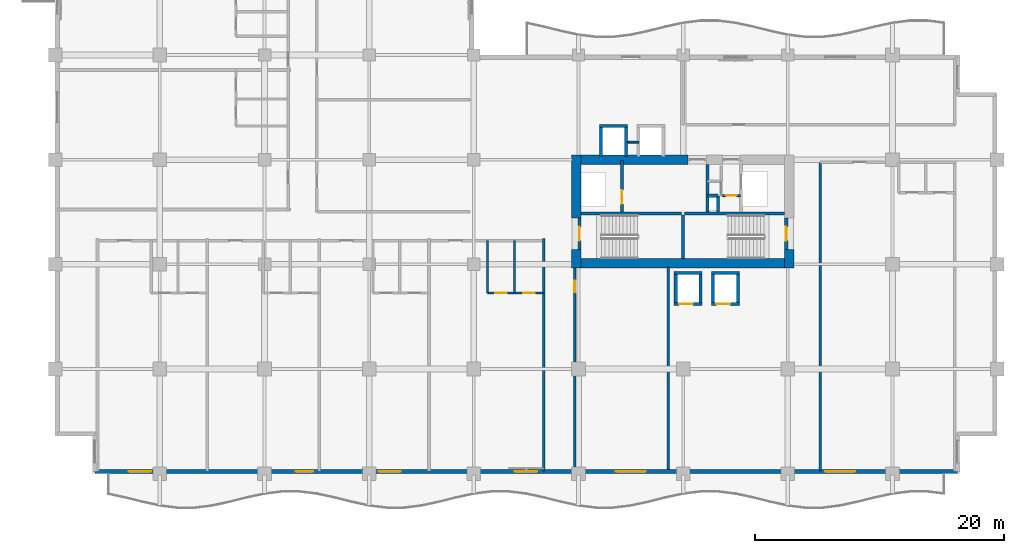
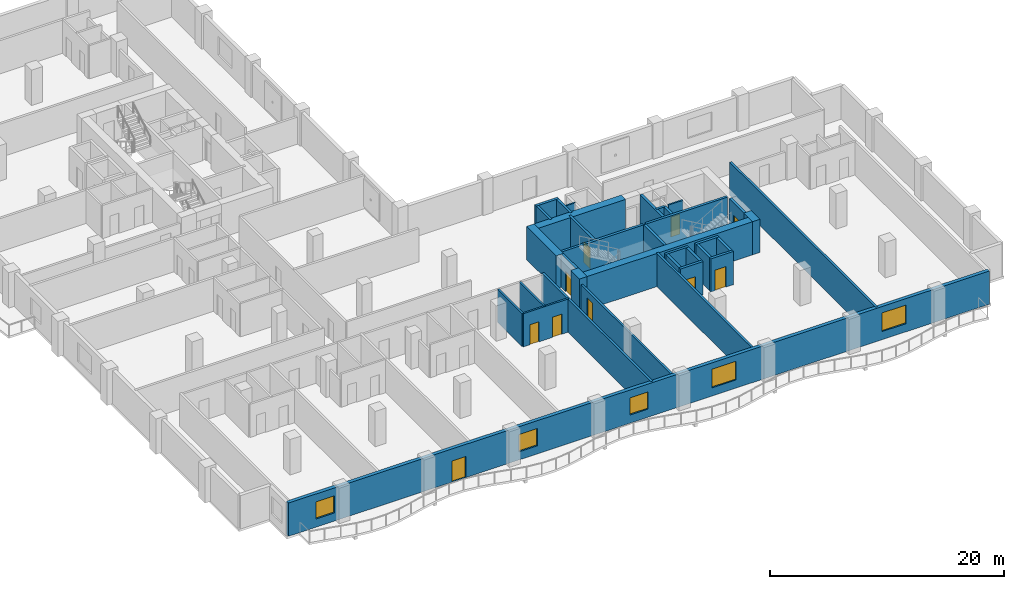
# One storey, part 5 of 16: 35 walls, 10 doors, 5 windows, 15 openings.
"""IFC4 building model written with IfcOpenShell, lengths in metres."""

from ifc_helpers import new_model, si_unit, direction, frame, frame_2d, origin, place, context, subcontext, project, spatial, rectangle, extrude, material, layer, layer_set, type_object, element, fill, save


model = new_model("IFC4")

# Units and contexts
model_context = context("Model", 3, precision=1e-05, world=origin(), true_north=direction((0.0, 1.0)))
body_context = subcontext(model_context, "Body", "Model", "MODEL_VIEW")
ifc_project = project(units=[si_unit("LENGTHUNIT", "METRE"), si_unit("AREAUNIT", "SQUARE_METRE"), si_unit("VOLUMEUNIT", "CUBIC_METRE"), si_unit("PLANEANGLEUNIT", "RADIAN"), si_unit("MASSUNIT", "GRAM", prefix="KILO")], contexts=[model_context])

# Site, building, storey
site_placement = place(None, origin())
site = spatial("IfcSite", under=ifc_project, at=site_placement, CompositionType="ELEMENT")
building_placement = place(site_placement, origin())
building = spatial("IfcBuilding", under=site, at=building_placement, Name="Koriwani Terraces Tower", CompositionType="ELEMENT")
storey_placement = place(building_placement, frame((0.0, 0.0, 171.699951171875)))
storey = spatial("IfcBuildingStorey", under=building, at=storey_placement, Name="L41", CompositionType="ELEMENT", Elevation=171.699951171875)

# Walls
ifc_material_1 = material(Name="Concrete C60/75", Category="concrete")
ifc_layer_1 = layer(ifc_material_1, 0.75, Name="Concrete C60/75")
ifc_layer_set_1 = layer_set([ifc_layer_1], Name="Concrete C60/75")
wall_type_1 = type_object("IfcWallType", Name="WALL_CORE_RC_750", PredefinedType="SHEAR", material=ifc_layer_set_1)
wall_1_placement = place(storey_placement, frame((41.824951171875, 16.5, 0.0), z_axis=(0.0, 0.0, 1.0), x_axis=(0.0, 1.0, 0.0)))
element("IfcWall", 1, at=wall_1_placement, inside=storey, type_object=wall_type_1, Name="L41 East Split Core Shear Wall W1", PredefinedType="SHEAR", context=body_context, shape_type="SweptSolid", body=[
    extrude(rectangle(XDim=1.5, YDim=0.75, at=frame_2d((0.75, 0.0))), origin(), (0.0, 0.0, 1.0), 3.469970703125),
])
wall_2_placement = place(storey_placement, frame((41.824951171875, 20.5, 0.0), z_axis=(0.0, 0.0, 1.0), x_axis=(0.0, 1.0, 0.0)))
element("IfcWall", 2, at=wall_2_placement, inside=storey, type_object=wall_type_1, Name="L41 East Split Core Shear Wall W2", PredefinedType="SHEAR", context=body_context, shape_type="SweptSolid", body=[
    extrude(rectangle(XDim=5.074951171875, YDim=0.75, at=frame_2d((2.53759765625, 0.0))), origin(), (0.0, 0.0, 1.0), 3.469970703125),
])
wall_3_placement = place(storey_placement, frame((58.925048828125, 16.5, 0.0), z_axis=(0.0, 0.0, 1.0), x_axis=(0.0, 1.0, 0.0)))
element("IfcWall", 3, at=wall_3_placement, inside=storey, type_object=wall_type_1, Name="L41 East Split Core Shear Wall E1", PredefinedType="SHEAR", context=body_context, shape_type="SweptSolid", body=[
    extrude(rectangle(XDim=1.5, YDim=0.75, at=frame_2d((0.75, 0.0))), origin(), (0.0, 0.0, 1.0), 3.469970703125),
])
wall_4_placement = place(storey_placement, frame((42.199951171875, 16.875, 0.0), z_axis=(0.0, 0.0, 1.0), x_axis=(1.0, 0.0, 0.0)))
element("IfcWall", 4, at=wall_4_placement, inside=storey, type_object=wall_type_1, Name="L41 East Split Core Shear Wall S1", PredefinedType="SHEAR", context=body_context, shape_type="SweptSolid", body=[
    extrude(rectangle(XDim=16.35009765625, YDim=0.75, at=frame_2d((8.175048828125, 0.0))), origin(), (0.0, 0.0, 1.0), 3.469970703125),
])
wall_5_placement = place(storey_placement, frame((42.199951171875, 25.199951171875, 0.0), z_axis=(0.0, 0.0, 1.0), x_axis=(1.0, 0.0, 0.0)))
element("IfcWall", 5, at=wall_5_placement, inside=storey, type_object=wall_type_1, Name="L41 East Split Core Shear Wall N1", PredefinedType="SHEAR", context=body_context, shape_type="SweptSolid", body=[
    extrude(rectangle(XDim=8.60009765625, YDim=0.75, at=frame_2d((4.300048828125, 0.0))), origin(), (0.0, 0.0, 1.0), 3.469970703125),
])

# Wall, opening, door
ifc_material_2 = material(Name="Autoclaved Cellular Concrete Blockwork", Category="masonry")
ifc_layer_2 = layer(ifc_material_2, 0.199951171875, Name="Autoclaved Cellular Concrete Blockwork")
ifc_layer_set_2 = layer_set([ifc_layer_2], Name="Autoclaved Cellular Concrete Blockwork")
wall_type_2 = type_object("IfcWallType", Name="WALL_CORRIDOR_200", PredefinedType="PARTITIONING", material=ifc_layer_set_2)
wall_6_placement = place(storey_placement, frame((41.699951171875, 0.35009765625, 0.0), z_axis=(0.0, 0.0, 1.0), x_axis=(0.0, 1.0, 0.0)))
wall_6 = element("IfcWall", 6, at=wall_6_placement, inside=storey, type_object=wall_type_2, Name="L41 Interior Wall WREC-EW-L41", PredefinedType="PARTITIONING", context=body_context, shape_type="SweptSolid", body=[
    extrude(rectangle(XDim=16.25, YDim=0.199951171875, at=frame_2d((8.125, 0.0))), origin(), (0.0, 0.0, 1.0), 2.820068359375),
])
opening_1_placement = place(wall_6_placement, frame((14.199951171875, 0.0, 0.0)))
opening_1 = element("IfcOpeningElement", 7, at=opening_1_placement, cuts=wall_6, Name="Opening D-06", PredefinedType="OPENING", context=body_context, shape_type="SweptSolid", body=[
    extrude(rectangle(XDim=0.919921875, YDim=2.10009765625, at=frame_2d((0.4599609375, 1.050048828125))), frame((0.0, 0.10986328125, 0.0), z_axis=(0.0, -1.0, 0.0), x_axis=(1.0, 0.0, 0.0)), (0.0, 0.0, 1.0), 0.219970703125),
])
ifc_material_3 = material(Name="Architectural Oak Fire Door", Category="wood")
door_type_1 = type_object("IfcDoorType", Name="DOOR_ROOM_INT_920X2100", OperationType="NOTDEFINED", PredefinedType="DOOR", material=ifc_material_3)
door_1_placement = place(opening_1_placement, origin())
door_1 = element("IfcDoor", 8, at=door_1_placement, inside=storey, type_object=door_type_1, Name="L41 Resident Co-Working Study Door", OperationType="SINGLE_SWING_RIGHT", OverallHeight=2.10009765625, OverallWidth=0.919921875, PredefinedType="DOOR", context=body_context, shape_type="SweptSolid", body=[
    extrude(rectangle(XDim=0.919921875, YDim=2.10009765625, at=frame_2d((0.4599609375, 1.050048828125))), frame((0.0, 0.02490234375, 0.0), z_axis=(0.0, -1.0, 0.0), x_axis=(1.0, 0.0, 0.0)), (0.0, 0.0, 1.0), 0.050048828125),
])
fill(opening_1, door_1)

# Walls
ifc_layer_3 = layer(ifc_material_2, 0.219970703125, Name="Autoclaved Cellular Concrete Blockwork")
ifc_layer_set_3 = layer_set([ifc_layer_3], Name="Autoclaved Cellular Concrete Blockwork")
wall_type_3 = type_object("IfcWallType", Name="WALL_DEMISING_220", PredefinedType="PARTITIONING", material=ifc_layer_set_3)
wall_7_placement = place(storey_placement, frame((49.199951171875, 0.35009765625, 0.0), z_axis=(0.0, 0.0, 1.0), x_axis=(0.0, 1.0, 0.0)))
element("IfcWall", 9, at=wall_7_placement, inside=storey, type_object=wall_type_3, Name="L41 Interior Wall WREC-EE-L41", PredefinedType="PARTITIONING", context=body_context, shape_type="SweptSolid", body=[
    extrude(rectangle(XDim=16.25, YDim=0.219970703125, at=frame_2d((8.125, 0.0))), origin(), (0.0, 0.0, 1.0), 3.469970703125),
])
wall_8_placement = place(storey_placement, frame((39.199951171875, 0.199951171875, 0.0), z_axis=(0.0, 0.0, 1.0), x_axis=(0.0, 1.0, 0.0)))
element("IfcWall", 10, at=wall_8_placement, inside=storey, type_object=wall_type_3, Name="L41 Interior Wall WRDEME-L41-SW", PredefinedType="PARTITIONING", context=body_context, shape_type="SweptSolid", body=[
    extrude(rectangle(XDim=18.679931640625, YDim=0.219970703125, at=frame_2d((9.33984375, 0.0))), origin(), (0.0, 0.0, 1.0), 3.469970703125),
])
wall_9_placement = place(storey_placement, frame((61.39990234375, 0.199951171875, 0.0), z_axis=(0.0, 0.0, 1.0), x_axis=(0.0, 1.0, 0.0)))
element("IfcWall", 11, at=wall_9_placement, inside=storey, type_object=wall_type_3, Name="L41 Interior Wall WRDEM-L41-SE-0", PredefinedType="PARTITIONING", context=body_context, shape_type="SweptSolid", body=[
    extrude(rectangle(XDim=24.97998046875, YDim=0.219970703125, at=frame_2d((12.489990234375, 0.0))), origin(), (0.0, 0.0, 1.0), 3.469970703125),
])

# Wall, openings, door, windows
ifc_material_4 = material(Name="Concrete C50/60", Category="concrete")
ifc_layer_4 = layer(ifc_material_4, 0.35009765625, Name="Concrete C50/60")
ifc_layer_set_4 = layer_set([ifc_layer_4], Name="Concrete C50/60")
wall_type_4 = type_object("IfcWallType", Name="WALL_EXT_BRUTALIST_350", PredefinedType="STANDARD", material=ifc_layer_set_4)
wall_10_placement = place(storey_placement, frame((72.425048828125, 0.175048828125, 0.0), z_axis=(0.0, 0.0, 1.0), x_axis=(-1.0, 0.0, 0.0)))
wall_10 = element("IfcWall", 12, at=wall_10_placement, inside=storey, type_object=wall_type_4, Name="L41 Fair-Faced Brutalist Exterior Wall (S)", PredefinedType="STANDARD", context=body_context, shape_type="SweptSolid", body=[
    extrude(rectangle(XDim=69.25, YDim=0.35009765625, at=frame_2d((34.625, 0.0))), origin(), (0.0, 0.0, 1.0), 3.469970703125),
])
opening_2_placement = place(wall_10_placement, frame((51.72509765625, 0.0, 0.0)))
opening_2 = element("IfcOpeningElement", 13, at=opening_2_placement, cuts=wall_10, Name="Opening D-09", PredefinedType="OPENING", context=body_context, shape_type="SweptSolid", body=[
    extrude(rectangle(XDim=1.39990234375, YDim=2.199951171875, at=frame_2d((0.699951171875, 1.10009765625))), frame((0.0, 0.18505859375, 0.0), z_axis=(0.0, -1.0, 0.0), x_axis=(1.0, 0.0, 0.0)), (0.0, 0.0, 1.0), 0.3701171875),
])
opening_3_placement = place(wall_10_placement, frame((33.72509765625, 0.0, 0.85009765625)))
opening_3 = element("IfcOpeningElement", 14, at=opening_3_placement, cuts=wall_10, Name="Opening W-04", PredefinedType="OPENING", context=body_context, shape_type="SweptSolid", body=[
    extrude(rectangle(XDim=1.800048828125, YDim=1.800048828125, at=frame_2d((0.89990234375, 0.89990234375))), frame((0.0, 0.18505859375, 0.0), z_axis=(0.0, -1.0, 0.0), x_axis=(1.0, 0.0, 0.0)), (0.0, 0.0, 1.0), 0.3701171875),
])
opening_4_placement = place(wall_10_placement, frame((25.02490234375, 0.0, 0.85009765625)))
opening_4 = element("IfcOpeningElement", 15, at=opening_4_placement, cuts=wall_10, Name="Opening W-03", PredefinedType="OPENING", context=body_context, shape_type="SweptSolid", body=[
    extrude(rectangle(XDim=2.39990234375, YDim=1.949951171875, at=frame_2d((1.199951171875, 0.97509765625))), frame((0.0, 0.18505859375, 0.0), z_axis=(0.0, -1.0, 0.0), x_axis=(1.0, 0.0, 0.0)), (0.0, 0.0, 1.0), 0.3701171875),
])
opening_5_placement = place(wall_10_placement, frame((8.22509765625, 0.0, 0.85009765625)))
opening_5 = element("IfcOpeningElement", 16, at=opening_5_placement, cuts=wall_10, Name="Opening W-03", PredefinedType="OPENING", context=body_context, shape_type="SweptSolid", body=[
    extrude(rectangle(XDim=2.39990234375, YDim=1.949951171875, at=frame_2d((1.199951171875, 0.97509765625))), frame((0.0, 0.18505859375, 0.0), z_axis=(0.0, -1.0, 0.0), x_axis=(1.0, 0.0, 0.0)), (0.0, 0.0, 1.0), 0.3701171875),
])
opening_6_placement = place(wall_10_placement, frame((64.72509765625, 0.0, 0.85009765625)))
opening_6 = element("IfcOpeningElement", 17, at=opening_6_placement, cuts=wall_10, Name="Opening W-04", PredefinedType="OPENING", context=body_context, shape_type="SweptSolid", body=[
    extrude(rectangle(XDim=1.800048828125, YDim=1.800048828125, at=frame_2d((0.89990234375, 0.89990234375))), frame((0.0, 0.18505859375, 0.0), z_axis=(0.0, -1.0, 0.0), x_axis=(1.0, 0.0, 0.0)), (0.0, 0.0, 1.0), 0.3701171875),
])
opening_7_placement = place(wall_10_placement, frame((44.675048828125, 0.0, 0.85009765625)))
opening_7 = element("IfcOpeningElement", 18, at=opening_7_placement, cuts=wall_10, Name="Opening W-04", PredefinedType="OPENING", context=body_context, shape_type="SweptSolid", body=[
    extrude(rectangle(XDim=1.800048828125, YDim=1.800048828125, at=frame_2d((0.89990234375, 0.89990234375))), frame((0.0, 0.18505859375, 0.0), z_axis=(0.0, -1.0, 0.0), x_axis=(1.0, 0.0, 0.0)), (0.0, 0.0, 1.0), 0.3701171875),
])
ifc_material_5 = material(Name="Anodised Bronze Aluminium", Category="aluminium")
door_type_2 = type_object("IfcDoorType", Name="DOOR_BALCONY_GLAZED_1400X2200", OperationType="NOTDEFINED", PredefinedType="DOOR", material=ifc_material_5)
door_2_placement = place(opening_2_placement, origin())
door_2 = element("IfcDoor", 19, at=door_2_placement, inside=storey, type_object=door_type_2, Name="L41 South Balcony Glazed Door", OperationType="SINGLE_SWING_LEFT", OverallHeight=2.199951171875, OverallWidth=1.39990234375, PredefinedType="DOOR", context=body_context, shape_type="SweptSolid", body=[
    extrude(rectangle(XDim=1.39990234375, YDim=2.199951171875, at=frame_2d((0.699951171875, 1.10009765625))), frame((0.0, 0.02490234375, 0.0), z_axis=(0.0, -1.0, 0.0), x_axis=(1.0, 0.0, 0.0)), (0.0, 0.0, 1.0), 0.050048828125),
])
fill(opening_2, door_2)
ifc_material_6 = material(Name="Tempered Laminated Low-E Glass", Category="glass")
window_type_1 = type_object("IfcWindowType", Name="WIN_RES_BED_1800X1800", PartitioningType="DOUBLE_PANEL_VERTICAL", PredefinedType="WINDOW", material=ifc_material_6)
window_1_placement = place(opening_3_placement, origin())
window_1 = element("IfcWindow", 20, at=window_1_placement, inside=storey, type_object=window_type_1, Name="L41 Exterior Window (S-12)", OverallHeight=1.800048828125, OverallWidth=1.800048828125, PartitioningType="SINGLE_PANEL", PredefinedType="WINDOW", context=body_context, shape_type="SweptSolid", body=[
    extrude(rectangle(XDim=1.800048828125, YDim=1.800048828125, at=frame_2d((0.89990234375, 0.89990234375))), frame((0.0, 0.030029296875, 0.0), z_axis=(0.0, -1.0, 0.0), x_axis=(1.0, 0.0, 0.0)), (0.0, 0.0, 1.0), 0.06005859375),
])
fill(opening_3, window_1)
window_2_placement = place(opening_6_placement, origin())
window_2 = element("IfcWindow", 21, at=window_2_placement, inside=storey, type_object=window_type_1, Name="L41 Exterior Window (S-R34)", OverallHeight=1.800048828125, OverallWidth=1.800048828125, PartitioningType="SINGLE_PANEL", PredefinedType="WINDOW", context=body_context, shape_type="SweptSolid", body=[
    extrude(rectangle(XDim=1.800048828125, YDim=1.800048828125, at=frame_2d((0.89990234375, 0.89990234375))), frame((0.0, 0.030029296875, 0.0), z_axis=(0.0, -1.0, 0.0), x_axis=(1.0, 0.0, 0.0)), (0.0, 0.0, 1.0), 0.06005859375),
])
fill(opening_6, window_2)
window_3_placement = place(opening_7_placement, origin())
window_3 = element("IfcWindow", 22, at=window_3_placement, inside=storey, type_object=window_type_1, Name="L41 Exterior Window (S-R40)", OverallHeight=1.800048828125, OverallWidth=1.800048828125, PartitioningType="SINGLE_PANEL", PredefinedType="WINDOW", context=body_context, shape_type="SweptSolid", body=[
    extrude(rectangle(XDim=1.800048828125, YDim=1.800048828125, at=frame_2d((0.89990234375, 0.89990234375))), frame((0.0, 0.030029296875, 0.0), z_axis=(0.0, -1.0, 0.0), x_axis=(1.0, 0.0, 0.0)), (0.0, 0.0, 1.0), 0.06005859375),
])
fill(opening_7, window_3)
window_type_2 = type_object("IfcWindowType", Name="WIN_RES_LIVING_2400X1950", PartitioningType="DOUBLE_PANEL_VERTICAL", PredefinedType="WINDOW", material=ifc_material_6)
window_4_placement = place(opening_4_placement, origin())
window_4 = element("IfcWindow", 23, at=window_4_placement, inside=storey, type_object=window_type_2, Name="L41 Exterior Window (S-15)", OverallHeight=1.949951171875, OverallWidth=2.39990234375, PartitioningType="SINGLE_PANEL", PredefinedType="WINDOW", context=body_context, shape_type="SweptSolid", body=[
    extrude(rectangle(XDim=2.39990234375, YDim=1.949951171875, at=frame_2d((1.199951171875, 0.97509765625))), frame((0.0, 0.030029296875, 0.0), z_axis=(0.0, -1.0, 0.0), x_axis=(1.0, 0.0, 0.0)), (0.0, 0.0, 1.0), 0.06005859375),
])
fill(opening_4, window_4)
window_5_placement = place(opening_5_placement, origin())
window_5 = element("IfcWindow", 24, at=window_5_placement, inside=storey, type_object=window_type_2, Name="L41 Exterior Window (S-21)", OverallHeight=1.949951171875, OverallWidth=2.39990234375, PartitioningType="SINGLE_PANEL", PredefinedType="WINDOW", context=body_context, shape_type="SweptSolid", body=[
    extrude(rectangle(XDim=2.39990234375, YDim=1.949951171875, at=frame_2d((1.199951171875, 0.97509765625))), frame((0.0, 0.030029296875, 0.0), z_axis=(0.0, -1.0, 0.0), x_axis=(1.0, 0.0, 0.0)), (0.0, 0.0, 1.0), 0.06005859375),
])
fill(opening_5, window_5)

# Wall, openings, doors
ifc_material_7 = material(Name="Fire-Rated Acoustic Gypsum Partition", Category="masonry")
ifc_layer_5 = layer(ifc_material_7, 0.179931640625, Name="Fire-Rated Acoustic Gypsum Partition")
ifc_layer_set_5 = layer_set([ifc_layer_5], Name="Fire-Rated Acoustic Gypsum Partition")
wall_type_5 = type_object("IfcWallType", Name="WALL_PLUMBING_180", PredefinedType="PLUMBINGWALL", material=ifc_layer_set_5)
wall_11_placement = place(storey_placement, frame((34.699951171875, 14.5, 0.0), z_axis=(0.0, 0.0, 1.0), x_axis=(1.0, 0.0, 0.0)))
wall_11 = element("IfcWall", 25, at=wall_11_placement, inside=storey, type_object=wall_type_5, Name="L41 Interior Wall WRSVC-L41-SW-3", PredefinedType="PLUMBINGWALL", context=body_context, shape_type="SweptSolid", body=[
    extrude(rectangle(XDim=4.5, YDim=0.179931640625, at=frame_2d((2.25, 0.0))), origin(), (0.0, 0.0, 1.0), 3.469970703125),
])
opening_8_placement = place(wall_11_placement, frame((0.6298828125, 0.0, 0.0)))
opening_8 = element("IfcOpeningElement", 26, at=opening_8_placement, cuts=wall_11, Name="Opening D-07", PredefinedType="OPENING", context=body_context, shape_type="SweptSolid", body=[
    extrude(rectangle(XDim=0.89990234375, YDim=2.10009765625, at=frame_2d((0.449951171875, 1.050048828125))), frame((0.0, 0.10009765625, 0.0), z_axis=(0.0, -1.0, 0.0), x_axis=(1.0, 0.0, 0.0)), (0.0, 0.0, 1.0), 0.199951171875),
])
opening_9_placement = place(wall_11_placement, frame((2.8701171875, 0.0, 0.0)))
opening_9 = element("IfcOpeningElement", 27, at=opening_9_placement, cuts=wall_11, Name="Opening D-06", PredefinedType="OPENING", context=body_context, shape_type="SweptSolid", body=[
    extrude(rectangle(XDim=0.919921875, YDim=2.10009765625, at=frame_2d((0.4599609375, 1.050048828125))), frame((0.0, 0.10009765625, 0.0), z_axis=(0.0, -1.0, 0.0), x_axis=(1.0, 0.0, 0.0)), (0.0, 0.0, 1.0), 0.199951171875),
])
door_type_3 = type_object("IfcDoorType", Name="DOOR_BATH_INT_900X2100", OperationType="NOTDEFINED", PredefinedType="DOOR", material=ifc_material_3)
door_3_placement = place(opening_8_placement, origin())
door_3 = element("IfcDoor", 28, at=door_3_placement, inside=storey, type_object=door_type_3, Name="Apartment 41SW4 Bathroom Door", OperationType="SINGLE_SWING_LEFT", OverallHeight=2.10009765625, OverallWidth=0.89990234375, PredefinedType="DOOR", context=body_context, shape_type="SweptSolid", body=[
    extrude(rectangle(XDim=0.89990234375, YDim=2.10009765625, at=frame_2d((0.449951171875, 1.050048828125))), frame((0.0, 0.02490234375, 0.0), z_axis=(0.0, -1.0, 0.0), x_axis=(1.0, 0.0, 0.0)), (0.0, 0.0, 1.0), 0.050048828125),
])
fill(opening_8, door_3)
door_4_placement = place(opening_9_placement, origin())
door_4 = element("IfcDoor", 29, at=door_4_placement, inside=storey, type_object=door_type_1, Name="Apartment 41SW4 Kitchen Door", OperationType="SINGLE_SWING_RIGHT", OverallHeight=2.10009765625, OverallWidth=0.919921875, PredefinedType="DOOR", context=body_context, shape_type="SweptSolid", body=[
    extrude(rectangle(XDim=0.919921875, YDim=2.10009765625, at=frame_2d((0.4599609375, 1.050048828125))), frame((0.0, 0.02490234375, 0.0), z_axis=(0.0, -1.0, 0.0), x_axis=(1.0, 0.0, 0.0)), (0.0, 0.0, 1.0), 0.050048828125),
])
fill(opening_9, door_4)

# Walls
for number, where, z_axis, x_axis, name in (
    (30, (34.699951171875, 14.5, 0.0), (0.0, 0.0, 1.0), (0.0, 1.0, 0.0), "L41 Interior Wall WRSVCS-L41-SW-3"),
    (31, (36.860107421875, 14.5, 0.0), (0.0, 0.0, 1.0), (0.0, 1.0, 0.0), "L41 Interior Wall WRSVCM-L41-SW-3"),
):
    element("IfcWall", number, at=place(storey_placement, frame(where, z_axis=z_axis, x_axis=x_axis)), inside=storey, type_object=wall_type_5, Name=name, PredefinedType="PLUMBINGWALL", context=body_context, shape_type="SweptSolid", body=[
        extrude(rectangle(XDim=4.199951171875, YDim=0.179931640625, at=frame_2d((2.10009765625, 0.0))), origin(), (0.0, 0.0, 1.0), 3.469970703125),
    ])
ifc_material_8 = material(Name="Concrete C40/50", Category="concrete")
ifc_layer_6 = layer(ifc_material_8, 0.25, Name="Concrete C40/50")
ifc_layer_set_6 = layer_set([ifc_layer_6], Name="Concrete C40/50")
wall_type_6 = type_object("IfcWallType", Name="WALL_SHAFT_RATED_250", PredefinedType="SOLIDWALL", material=ifc_layer_set_6)
for number, where, z_axis, x_axis, name in (
    (32, (42.199951171875, 20.875, 0.0), (0.0, 0.0, 1.0), (1.0, 0.0, 0.0), "L41 East Split Core Web Wall MID1"),
    (33, (50.5, 20.875, 0.0), (0.0, 0.0, 1.0), (1.0, 0.0, 0.0), "L41 East Split Core Web Wall MID2"),
):
    element("IfcWall", number, at=place(storey_placement, frame(where, z_axis=z_axis, x_axis=x_axis)), inside=storey, type_object=wall_type_6, Name=name, PredefinedType="SOLIDWALL", context=body_context, shape_type="SweptSolid", body=[
        extrude(rectangle(XDim=8.050048828125, YDim=0.25, at=frame_2d((4.02490234375, 0.0))), origin(), (0.0, 0.0, 1.0), 3.469970703125),
    ])
wall_12_placement = place(storey_placement, frame((50.375, 17.25, 0.0), z_axis=(0.0, 0.0, 1.0), x_axis=(0.0, 1.0, 0.0)))
element("IfcWall", 34, at=wall_12_placement, inside=storey, type_object=wall_type_6, Name="L41 East Split Core Stair Dividing Wall", PredefinedType="SOLIDWALL", context=body_context, shape_type="SweptSolid", body=[
    extrude(rectangle(XDim=3.5, YDim=0.25, at=frame_2d((1.75, 0.0))), origin(), (0.0, 0.0, 1.0), 3.469970703125),
])

# Wall, opening, door
wall_13_placement = place(storey_placement, frame((42.074951171875, 18.0, 0.0), z_axis=(0.0, 0.0, 1.0), x_axis=(0.0, 1.0, 0.0)))
wall_13 = element("IfcWall", 35, at=wall_13_placement, inside=storey, type_object=wall_type_6, Name="L41 Interior Wall WIN-CE-L41-STW", PredefinedType="SOLIDWALL", context=body_context, shape_type="SweptSolid", body=[
    extrude(rectangle(XDim=2.5, YDim=0.25, at=frame_2d((1.25, 0.0))), origin(), (0.0, 0.0, 1.0), 3.469970703125),
])
opening_10_placement = place(wall_13_placement, frame((0.699951171875, 0.0, 0.0)))
opening_10 = element("IfcOpeningElement", 36, at=opening_10_placement, cuts=wall_13, Name="Opening D-03", PredefinedType="OPENING", context=body_context, shape_type="SweptSolid", body=[
    extrude(rectangle(XDim=1.10009765625, YDim=2.14990234375, at=frame_2d((0.550048828125, 1.074951171875))), frame((0.0, 0.135009765625, 0.0), z_axis=(0.0, -1.0, 0.0), x_axis=(1.0, 0.0, 0.0)), (0.0, 0.0, 1.0), 0.27001953125),
])
ifc_material_9 = material(Name="Steel ASTM A572 Grade 50", Category="steel")
door_type_4 = type_object("IfcDoorType", Name="DOOR_STAIR_FIRE_1100X2150", OperationType="NOTDEFINED", PredefinedType="DOOR", material=ifc_material_9)
door_5_placement = place(opening_10_placement, origin())
door_5 = element("IfcDoor", 37, at=door_5_placement, inside=storey, type_object=door_type_4, Name="L41 Exit Stair ST-E1 Door", OperationType="SINGLE_SWING_RIGHT", OverallHeight=2.14990234375, OverallWidth=1.10009765625, PredefinedType="DOOR", context=body_context, shape_type="SweptSolid", body=[
    extrude(rectangle(XDim=1.10009765625, YDim=2.14990234375, at=frame_2d((0.550048828125, 1.074951171875))), frame((0.0, 0.02490234375, 0.0), z_axis=(0.0, -1.0, 0.0), x_axis=(1.0, 0.0, 0.0)), (0.0, 0.0, 1.0), 0.050048828125),
])
fill(opening_10, door_5)

wall_14_placement = place(storey_placement, frame((58.675048828125, 18.0, 0.0), z_axis=(0.0, 0.0, 1.0), x_axis=(0.0, 1.0, 0.0)))
wall_14 = element("IfcWall", 38, at=wall_14_placement, inside=storey, type_object=wall_type_6, Name="L41 Interior Wall WIN-CE-L41-STE", PredefinedType="SOLIDWALL", context=body_context, shape_type="SweptSolid", body=[
    extrude(rectangle(XDim=2.5, YDim=0.25, at=frame_2d((1.25, 0.0))), origin(), (0.0, 0.0, 1.0), 3.469970703125),
])
opening_11_placement = place(wall_14_placement, frame((0.699951171875, 0.0, 0.0)))
opening_11 = element("IfcOpeningElement", 39, at=opening_11_placement, cuts=wall_14, Name="Opening D-03", PredefinedType="OPENING", context=body_context, shape_type="SweptSolid", body=[
    extrude(rectangle(XDim=1.10009765625, YDim=2.14990234375, at=frame_2d((0.550048828125, 1.074951171875))), frame((0.0, 0.135009765625, 0.0), z_axis=(0.0, -1.0, 0.0), x_axis=(1.0, 0.0, 0.0)), (0.0, 0.0, 1.0), 0.27001953125),
])
door_6_placement = place(opening_11_placement, origin())
door_6 = element("IfcDoor", 40, at=door_6_placement, inside=storey, type_object=door_type_4, Name="L41 Exit Stair ST-E2 Door", OperationType="SINGLE_SWING_LEFT", OverallHeight=2.14990234375, OverallWidth=1.10009765625, PredefinedType="DOOR", context=body_context, shape_type="SweptSolid", body=[
    extrude(rectangle(XDim=1.10009765625, YDim=2.14990234375, at=frame_2d((0.550048828125, 1.074951171875))), frame((0.0, 0.02490234375, 0.0), z_axis=(0.0, -1.0, 0.0), x_axis=(1.0, 0.0, 0.0)), (0.0, 0.0, 1.0), 0.050048828125),
])
fill(opening_11, door_6)

wall_15_placement = place(storey_placement, frame((45.5, 21.0, 0.0), z_axis=(0.0, 0.0, 1.0), x_axis=(0.0, 1.0, 0.0)))
wall_15 = element("IfcWall", 41, at=wall_15_placement, inside=storey, type_object=wall_type_6, Name="L41 Interior Wall WIN-CE-L41-FE", PredefinedType="SOLIDWALL", context=body_context, shape_type="SweptSolid", body=[
    extrude(rectangle(XDim=4.14990234375, YDim=0.25, at=frame_2d((2.074951171875, 0.0))), origin(), (0.0, 0.0, 1.0), 3.469970703125),
])
opening_12_placement = place(wall_15_placement, frame((0.64990234375, 0.0, 0.0)))
opening_12 = element("IfcOpeningElement", 42, at=opening_12_placement, cuts=wall_15, Name="Opening LD-01", PredefinedType="OPENING", context=body_context, shape_type="SweptSolid", body=[
    extrude(rectangle(XDim=1.10009765625, YDim=2.14990234375, at=frame_2d((0.550048828125, 1.074951171875))), frame((0.0, 0.135009765625, 0.0), z_axis=(0.0, -1.0, 0.0), x_axis=(1.0, 0.0, 0.0)), (0.0, 0.0, 1.0), 0.27001953125),
])
door_type_5 = type_object("IfcDoorType", Name="DOOR_LIFT_LANDING_1100X2200", OperationType="NOTDEFINED", PredefinedType="DOOR", material=ifc_material_9)
door_7_placement = place(opening_12_placement, origin())
door_7 = element("IfcDoor", 43, at=door_7_placement, inside=storey, type_object=door_type_5, Name="L41 Firefighting Lift FE-02 Landing Door", OperationType="SLIDING_TO_LEFT", OverallHeight=2.14990234375, OverallWidth=1.10009765625, PredefinedType="DOOR", context=body_context, shape_type="SweptSolid", body=[
    extrude(rectangle(XDim=1.10009765625, YDim=2.14990234375, at=frame_2d((0.550048828125, 1.074951171875))), frame((0.0, 0.02490234375, 0.0), z_axis=(0.0, -1.0, 0.0), x_axis=(1.0, 0.0, 0.0)), (0.0, 0.0, 1.0), 0.050048828125),
])
fill(opening_12, door_7)

# Walls
wall_16_placement = place(storey_placement, frame((52.340087890625, 21.0, 0.0), z_axis=(0.0, 0.0, 1.0), x_axis=(0.0, 1.0, 0.0)))
element("IfcWall", 44, at=wall_16_placement, inside=storey, type_object=wall_type_6, Name="L41 Interior Wall WIN-CE-L41-FFE", PredefinedType="SOLIDWALL", context=body_context, shape_type="SweptSolid", body=[
    extrude(rectangle(XDim=3.824951171875, YDim=0.25, at=frame_2d((1.91259765625, 0.0))), origin(), (0.0, 0.0, 1.0), 3.469970703125),
])
wall_17_placement = place(storey_placement, frame((53.199951171875, 21.0, 0.0), z_axis=(0.0, 0.0, 1.0), x_axis=(0.0, 1.0, 0.0)))
element("IfcWall", 45, at=wall_17_placement, inside=storey, type_object=wall_type_6, Name="L41 Interior Wall WIN-CE-L41-RS1", PredefinedType="SOLIDWALL", context=body_context, shape_type="SweptSolid", body=[
    extrude(rectangle(XDim=1.300048828125, YDim=0.25, at=frame_2d((0.64990234375, 0.0))), origin(), (0.0, 0.0, 1.0), 3.469970703125),
])
wall_18_placement = place(storey_placement, frame((52.360107421875, 22.300048828125, 0.0), z_axis=(0.0, 0.0, 1.0), x_axis=(1.0, 0.0, 0.0)))
element("IfcWall", 46, at=wall_18_placement, inside=storey, type_object=wall_type_6, Name="L41 Interior Wall WIN-CE-L41-RS2", PredefinedType="SOLIDWALL", context=body_context, shape_type="SweptSolid", body=[
    extrude(rectangle(XDim=0.83984375, YDim=0.25, at=frame_2d((0.419921875, 0.0))), origin(), (0.0, 0.0, 1.0), 3.469970703125),
])

# Wall, opening, door
wall_19_placement = place(storey_placement, frame((49.675048828125, 13.60009765625, 0.0), z_axis=(0.0, 0.0, 1.0), x_axis=(1.0, 0.0, 0.0)))
wall_19 = element("IfcWall", 47, at=wall_19_placement, inside=storey, type_object=wall_type_6, Name="L41 Interior Wall WIN-LF-PE-M3-L41-F", PredefinedType="SOLIDWALL", context=body_context, shape_type="SweptSolid", body=[
    extrude(rectangle(XDim=2.25, YDim=0.25, at=frame_2d((1.125, 0.0))), origin(), (0.0, 0.0, 1.0), 3.469970703125),
])
opening_13_placement = place(wall_19_placement, frame((0.39990234375, 0.0, 0.0)))
opening_13 = element("IfcOpeningElement", 48, at=opening_13_placement, cuts=wall_19, Name="Opening LD-01", PredefinedType="OPENING", context=body_context, shape_type="SweptSolid", body=[
    extrude(rectangle(XDim=1.10009765625, YDim=2.14990234375, at=frame_2d((0.550048828125, 1.074951171875))), frame((0.0, 0.135009765625, 0.0), z_axis=(0.0, -1.0, 0.0), x_axis=(1.0, 0.0, 0.0)), (0.0, 0.0, 1.0), 0.27001953125),
])
door_8_placement = place(opening_13_placement, origin())
door_8 = element("IfcDoor", 49, at=door_8_placement, inside=storey, type_object=door_type_5, Name="L41 Passenger Lift PE-M3 Landing Door", OperationType="SLIDING_TO_LEFT", OverallHeight=2.14990234375, OverallWidth=1.10009765625, PredefinedType="DOOR", context=body_context, shape_type="SweptSolid", body=[
    extrude(rectangle(XDim=1.10009765625, YDim=2.14990234375, at=frame_2d((0.550048828125, 1.074951171875))), frame((0.0, 0.02490234375, 0.0), z_axis=(0.0, -1.0, 0.0), x_axis=(1.0, 0.0, 0.0)), (0.0, 0.0, 1.0), 0.050048828125),
])
fill(opening_13, door_8)

# Walls
for number, where, z_axis, x_axis, name in (
    (50, (49.675048828125, 16.10009765625, 0.0), (0.0, 0.0, 1.0), (1.0, 0.0, 0.0), "L41 Interior Wall WIN-LF-PE-M3-L41-B"),
    (51, (49.800048828125, 13.72509765625, 0.0), (0.0, 0.0, 1.0), (0.0, 1.0, 0.0), "L41 Interior Wall WIN-LF-PE-M3-L41-W"),
    (52, (51.800048828125, 13.72509765625, 0.0), (0.0, 0.0, 1.0), (0.0, 1.0, 0.0), "L41 Interior Wall WIN-LF-PE-M3-L41-E"),
):
    element("IfcWall", number, at=place(storey_placement, frame(where, z_axis=z_axis, x_axis=x_axis)), inside=storey, type_object=wall_type_6, Name=name, PredefinedType="SOLIDWALL", context=body_context, shape_type="SweptSolid", body=[
        extrude(rectangle(XDim=2.25, YDim=0.25, at=frame_2d((1.125, 0.0))), origin(), (0.0, 0.0, 1.0), 3.469970703125),
    ])

# Wall, opening, door
wall_20_placement = place(storey_placement, frame((52.675048828125, 13.60009765625, 0.0), z_axis=(0.0, 0.0, 1.0), x_axis=(1.0, 0.0, 0.0)))
wall_20 = element("IfcWall", 53, at=wall_20_placement, inside=storey, type_object=wall_type_6, Name="L41 Interior Wall WIN-LF-PE-M4-L41-F", PredefinedType="SOLIDWALL", context=body_context, shape_type="SweptSolid", body=[
    extrude(rectangle(XDim=2.25, YDim=0.25, at=frame_2d((1.125, 0.0))), origin(), (0.0, 0.0, 1.0), 3.469970703125),
])
opening_14_placement = place(wall_20_placement, frame((0.39990234375, 0.0, 0.0)))
opening_14 = element("IfcOpeningElement", 54, at=opening_14_placement, cuts=wall_20, Name="Opening LD-01", PredefinedType="OPENING", context=body_context, shape_type="SweptSolid", body=[
    extrude(rectangle(XDim=1.10009765625, YDim=2.14990234375, at=frame_2d((0.550048828125, 1.074951171875))), frame((0.0, 0.135009765625, 0.0), z_axis=(0.0, -1.0, 0.0), x_axis=(1.0, 0.0, 0.0)), (0.0, 0.0, 1.0), 0.27001953125),
])
door_9_placement = place(opening_14_placement, origin())
door_9 = element("IfcDoor", 55, at=door_9_placement, inside=storey, type_object=door_type_5, Name="L41 Passenger Lift PE-M4 Landing Door", OperationType="SLIDING_TO_LEFT", OverallHeight=2.14990234375, OverallWidth=1.10009765625, PredefinedType="DOOR", context=body_context, shape_type="SweptSolid", body=[
    extrude(rectangle(XDim=1.10009765625, YDim=2.14990234375, at=frame_2d((0.550048828125, 1.074951171875))), frame((0.0, 0.02490234375, 0.0), z_axis=(0.0, -1.0, 0.0), x_axis=(1.0, 0.0, 0.0)), (0.0, 0.0, 1.0), 0.050048828125),
])
fill(opening_14, door_9)

# Walls
for number, where, z_axis, x_axis, name in (
    (56, (52.675048828125, 16.10009765625, 0.0), (0.0, 0.0, 1.0), (1.0, 0.0, 0.0), "L41 Interior Wall WIN-LF-PE-M4-L41-B"),
    (57, (52.800048828125, 13.72509765625, 0.0), (0.0, 0.0, 1.0), (0.0, 1.0, 0.0), "L41 Interior Wall WIN-LF-PE-M4-L41-W"),
    (58, (54.800048828125, 13.72509765625, 0.0), (0.0, 0.0, 1.0), (0.0, 1.0, 0.0), "L41 Interior Wall WIN-LF-PE-M4-L41-E"),
    (59, (43.675048828125, 27.89990234375, 0.0), (0.0, 0.0, 1.0), (1.0, 0.0, 0.0), "L41 Interior Wall WIN-LF-PE-H3-L41-F"),
):
    element("IfcWall", number, at=place(storey_placement, frame(where, z_axis=z_axis, x_axis=x_axis)), inside=storey, type_object=wall_type_6, Name=name, PredefinedType="SOLIDWALL", context=body_context, shape_type="SweptSolid", body=[
        extrude(rectangle(XDim=2.25, YDim=0.25, at=frame_2d((1.125, 0.0))), origin(), (0.0, 0.0, 1.0), 3.469970703125),
    ])
for number, where, z_axis, x_axis, name in (
    (60, (43.800048828125, 25.449951171875, 0.0), (0.0, 0.0, 1.0), (0.0, 1.0, 0.0), "L41 Interior Wall WIN-LF-PE-H3-L41-W"),
    (61, (45.800048828125, 25.449951171875, 0.0), (0.0, 0.0, 1.0), (0.0, 1.0, 0.0), "L41 Interior Wall WIN-LF-PE-H3-L41-E"),
):
    element("IfcWall", number, at=place(storey_placement, frame(where, z_axis=z_axis, x_axis=x_axis)), inside=storey, type_object=wall_type_6, Name=name, PredefinedType="SOLIDWALL", context=body_context, shape_type="SweptSolid", body=[
        extrude(rectangle(XDim=2.324951171875, YDim=0.25, at=frame_2d((1.16259765625, 0.0))), origin(), (0.0, 0.0, 1.0), 3.469970703125),
    ])

# Wall, opening, door
ifc_layer_7 = layer(ifc_material_7, 0.159912109375, Name="Fire-Rated Acoustic Gypsum Partition")
ifc_layer_set_7 = layer_set([ifc_layer_7], Name="Fire-Rated Acoustic Gypsum Partition")
wall_type_7 = type_object("IfcWallType", Name="WALL_SUITE_160", PredefinedType="PARTITIONING", material=ifc_layer_set_7)
wall_21_placement = place(storey_placement, frame((53.56005859375, 22.320068359375, 0.0), z_axis=(0.0, 0.0, 1.0), x_axis=(1.0, 0.0, 0.0)))
wall_21 = element("IfcWall", 62, at=wall_21_placement, inside=storey, type_object=wall_type_7, Name="L41 Interior Wall WIN-CE-L41-SV2A", PredefinedType="PARTITIONING", context=body_context, shape_type="SweptSolid", body=[
    extrude(rectangle(XDim=1.43994140625, YDim=0.159912109375, at=frame_2d((0.719970703125, 0.0))), origin(), (0.0, 0.0, 1.0), 3.469970703125),
])
opening_15_placement = place(wall_21_placement, frame((0.260009765625, 0.0, 0.0)))
opening_15 = element("IfcOpeningElement", 63, at=opening_15_placement, cuts=wall_21, Name="Opening D-07", PredefinedType="OPENING", context=body_context, shape_type="SweptSolid", body=[
    extrude(rectangle(XDim=0.89990234375, YDim=2.10009765625, at=frame_2d((0.449951171875, 1.050048828125))), frame((0.0, 0.08984375, 0.0), z_axis=(0.0, -1.0, 0.0), x_axis=(1.0, 0.0, 0.0)), (0.0, 0.0, 1.0), 0.179931640625),
])
door_10_placement = place(opening_15_placement, origin())
door_10 = element("IfcDoor", 64, at=door_10_placement, inside=storey, type_object=door_type_3, Name="L41 East Meter Room Door", OperationType="SINGLE_SWING_RIGHT", OverallHeight=2.10009765625, OverallWidth=0.89990234375, PredefinedType="DOOR", context=body_context, shape_type="SweptSolid", body=[
    extrude(rectangle(XDim=0.89990234375, YDim=2.10009765625, at=frame_2d((0.449951171875, 1.050048828125))), frame((0.0, 0.02490234375, 0.0), z_axis=(0.0, -1.0, 0.0), x_axis=(1.0, 0.0, 0.0)), (0.0, 0.0, 1.0), 0.050048828125),
])
fill(opening_15, door_10)

# Wall
wall_22_placement = place(storey_placement, frame((45.9599609375, 26.60009765625, 0.0), z_axis=(0.0, 0.0, 1.0), x_axis=(1.0, 0.0, 0.0)))
element("IfcWall", 65, at=wall_22_placement, inside=storey, type_object=wall_type_7, Name="L41 Interior Wall WIN-LF-PEH34-MID-L41", PredefinedType="PARTITIONING", context=body_context, shape_type="SweptSolid", body=[
    extrude(rectangle(XDim=0.880126953125, YDim=0.159912109375, at=frame_2d((0.43994140625, 0.0))), origin(), (0.0, 0.0, 1.0), 3.469970703125),
])

save(model, "model.ifc")
